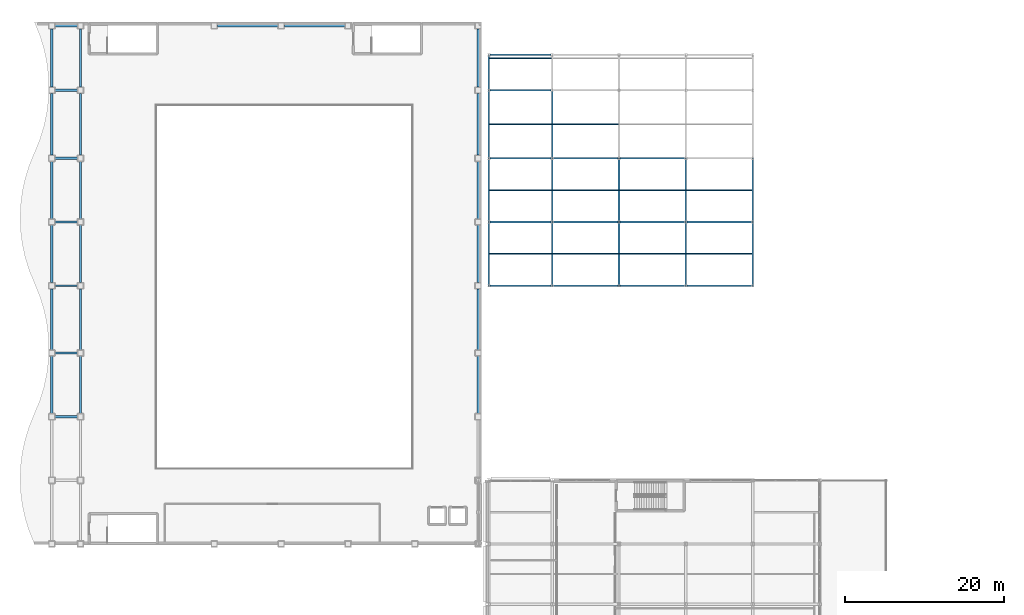
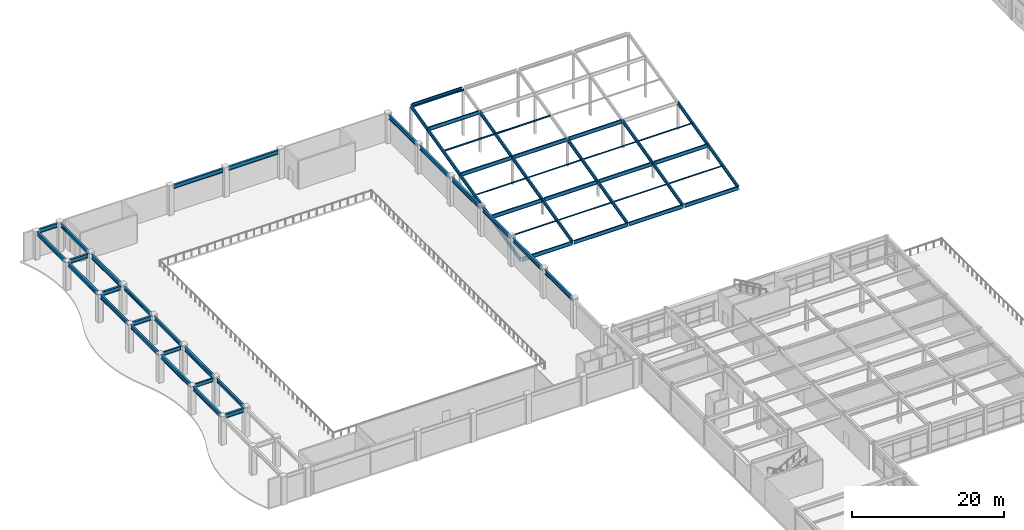
# One storey, part 43 of 93: 64 beams.
"""IFC4 building model written with IfcOpenShell, lengths in metres."""

import ifcopenshell
import ifcopenshell.guid

model = None  # the IFC model being written
_history = None  # IfcOwnerHistory: only IFC2X3 demands one
_inside = {}  # id of a spatial element -> (the spatial element, [elements in it])
_under = {}  # id of a project, library or spatial element -> (it, [spatial elements below it])
_declared = {}  # id of a project -> (the project, [libraries it declares])
_typed = {}  # id of a type object -> (the type object, [elements of that type])
_made_of = {}  # id of a material, layer set ... -> (it, [elements and type objects made of it])


def new_model(schema):
    """Start an empty IFC model of exactly this schema.

    Asked for "IFC4X3", IfcOpenShell would pick the latest addendum, in which some entities
    have other attributes; the version numbers below select the first issue.
    IFC2X3 requires an IfcOwnerHistory on every rooted entity: one is made here for all.
    """
    global model, _history
    if schema == "IFC4X3":
        model = ifcopenshell.file(schema_version=(4, 3, 0, 0))
    else:
        model = ifcopenshell.file(schema=schema)
    _inside.clear()
    _under.clear()
    _declared.clear()
    _typed.clear()
    _made_of.clear()
    _history = None
    if model.schema == "IFC2X3":
        org = make("IfcOrganization", Name="unknown")
        user = make(
            "IfcPersonAndOrganization",
            ThePerson=make("IfcPerson", FamilyName="unknown"),
            TheOrganization=org,
        )
        app = make(
            "IfcApplication",
            ApplicationDeveloper=org,
            Version="unknown",
            ApplicationFullName="unknown",
            ApplicationIdentifier="unknown",
        )
        _history = make(
            "IfcOwnerHistory",
            OwningUser=user,
            OwningApplication=app,
            ChangeAction="ADDED",
            CreationDate=0,
        )
    return model


def make(cls, **values):
    """One entity of the class cls with the attributes given. An attribute that is None is left unset."""
    return model.create_entity(
        cls, **{name: value for name, value in values.items() if value is not None}
    )


def rooted(cls, **values):
    """An entity with a GlobalId (a new one), such as an element, a storey or a relation."""
    return make(cls, GlobalId=ifcopenshell.guid.new(), OwnerHistory=_history, **values)


def si_unit(unit_type, name, prefix=None):
    """IfcSIUnit, for example si_unit("LENGTHUNIT", "METRE", prefix="MILLI")."""
    return make("IfcSIUnit", UnitType=unit_type, Prefix=prefix, Name=name)


def assignment(units):
    """IfcUnitAssignment: the units of a project."""
    return None if units is None else make("IfcUnitAssignment", Units=units)


def point(xyz):
    """IfcCartesianPoint."""
    return None if xyz is None else make("IfcCartesianPoint", Coordinates=xyz)


def direction(xyz):
    """IfcDirection."""
    return None if xyz is None else make("IfcDirection", DirectionRatios=xyz)


def frame(location, z_axis=None, x_axis=None):
    """IfcAxis2Placement3D, a coordinate frame: its origin and axes. An axis left out is left unset."""
    return make(
        "IfcAxis2Placement3D",
        Location=point(location),
        Axis=direction(z_axis),
        RefDirection=direction(x_axis),
    )


def frame_2d(location, x_axis=None):
    """IfcAxis2Placement2D, a coordinate frame in the plane: its origin and x axis."""
    return make(
        "IfcAxis2Placement2D", Location=point(location), RefDirection=direction(x_axis)
    )


def origin():
    """The frame at (0, 0, 0) with its axes left unset."""
    return frame((0.0, 0.0, 0.0))


def origin_2d():
    """The frame at (0, 0) in the plane with its x axis left unset."""
    return frame_2d((0.0, 0.0))


def place(relative_to, where):
    """IfcLocalPlacement: puts the frame where relative to a parent placement (None: the world)."""
    return make(
        "IfcLocalPlacement", PlacementRelTo=relative_to, RelativePlacement=where
    )


def context(
    kind, dimensions, precision=None, world=None, true_north=None, identifier=None
):
    """IfcGeometricRepresentationContext, for example the 3D "Model" context."""
    return make(
        "IfcGeometricRepresentationContext",
        ContextIdentifier=identifier,
        ContextType=kind,
        CoordinateSpaceDimension=dimensions,
        Precision=precision,
        WorldCoordinateSystem=world,
        TrueNorth=true_north,
    )


def subcontext(parent, identifier, kind, view, scale=None):
    """IfcGeometricRepresentationSubContext, for example "Body" below "Model"."""
    return make(
        "IfcGeometricRepresentationSubContext",
        ContextIdentifier=identifier,
        ContextType=kind,
        ParentContext=parent,
        TargetScale=scale,
        TargetView=view,
    )


def project(units=None, contexts=None):
    """IfcProject with its units and contexts."""
    return rooted(
        "IfcProject",
        Name="project",
        RepresentationContexts=contexts,
        UnitsInContext=assignment(units),
    )


def spatial(cls, under=None, at=None, **own):
    """A site, building, storey or space (cls), placed at a placement, below another one or the project."""
    s = rooted(cls, ObjectPlacement=at, **own)
    if under is not None:
        _under.setdefault(under.id(), (under, []))[1].append(s)
    return s


def profile(cls, at=None, kind="AREA", **sizes):
    """A parametric profile (cls). Its sizes go by their IFC names, for example OverallWidth=200.0."""
    return make(cls, ProfileType=kind, Position=at, **sizes)


def i_section(**sizes):
    """IfcIShapeProfileDef."""
    return profile("IfcIShapeProfileDef", **sizes)


def extrude(swept, where, along, depth):
    """IfcExtrudedAreaSolid: the profile swept, set in the frame where, extruded along a direction by depth."""
    return make(
        "IfcExtrudedAreaSolid",
        SweptArea=swept,
        Position=where,
        ExtrudedDirection=direction(along),
        Depth=depth,
    )


def shape(context_of_items, identifier, shape_type, items):
    """IfcShapeRepresentation: the items that make up one representation, for example the "Body"."""
    return make(
        "IfcShapeRepresentation",
        ContextOfItems=context_of_items,
        RepresentationIdentifier=identifier,
        RepresentationType=shape_type,
        Items=items,
    )


def material(Name=None, Category=None):
    """IfcMaterial."""
    return make("IfcMaterial", Name=Name, Category=Category)


def material_profile(
    of_material, cross_section, Name=None, Category=None, Priority=None
):
    """IfcMaterialProfile: a cross section and its material."""
    return make(
        "IfcMaterialProfile",
        Name=Name,
        Material=of_material,
        Profile=cross_section,
        Priority=Priority,
        Category=Category,
    )


def profile_set(profiles, Name=None, composite=None):
    """IfcMaterialProfileSet."""
    return make(
        "IfcMaterialProfileSet",
        Name=Name,
        MaterialProfiles=profiles,
        CompositeProfile=composite,
    )


def made_of(thing, what):
    """Note that an element or type object is made of a material, layer set ...; save() writes the relation."""
    if what is not None:
        _made_of.setdefault(what.id(), (what, []))[1].append(thing)
    return thing


def type_object(cls, material=None, **own):
    """A type object (cls), such as IfcWallType, which elements share."""
    return made_of(rooted(cls, **own), material)


def element(
    cls,
    number,
    at=None,
    inside=None,
    cuts=None,
    type_object=None,
    material=None,
    context=None,
    identifier="Body",
    shape_type=None,
    held_by="IfcProductDefinitionShape",
    body=None,
    shapes=None,
    **own,
):
    """One element of the class cls, such as IfcWall. Its Tag is "e" and its number.

    at: its placement. inside: the storey or other place that contains it. cuts: it is an
    opening in that element (IfcRelVoidsElement). A single representation is given by context,
    identifier, shape_type and body (its items); several are given by shapes. held_by: the class
    of the entity that holds the representations. save() writes the other relations.
    """
    e = rooted(cls, Tag="e%d" % number, ObjectPlacement=at, **own)
    if body is not None:
        shapes = [shape(context, identifier, shape_type, body)]
    if shapes is not None:
        e.Representation = make(held_by, Representations=shapes)
    if inside is not None:
        _inside.setdefault(inside.id(), (inside, []))[1].append(e)
    if cuts is not None:
        rooted(
            "IfcRelVoidsElement", RelatingBuildingElement=cuts, RelatedOpeningElement=e
        )
    if type_object is not None:
        _typed.setdefault(type_object.id(), (type_object, []))[1].append(e)
    return made_of(e, material)


def aggregate(whole, parts):
    """IfcRelAggregates: a whole, such as a stair, and the parts it consists of."""
    return rooted("IfcRelAggregates", RelatingObject=whole, RelatedObjects=parts)


def save(model, path):
    """Write the relations noted so far, then the file.

    IfcRelAggregates (storeys below a building ...), IfcRelContainedInSpatialStructure (elements
    in a storey), IfcRelDefinesByType, IfcRelAssociatesMaterial and IfcRelDeclares: one each for
    every whole, place, type object, material and project.
    """
    for whole, parts in _under.values():
        aggregate(whole, parts)
    for where, things in _inside.values():
        rooted(
            "IfcRelContainedInSpatialStructure",
            RelatedElements=things,
            RelatingStructure=where,
        )
    for kind, things in _typed.values():
        rooted("IfcRelDefinesByType", RelatedObjects=things, RelatingType=kind)
    for what, things in _made_of.values():
        rooted("IfcRelAssociatesMaterial", RelatedObjects=things, RelatingMaterial=what)
    for by, libraries in _declared.values():
        rooted("IfcRelDeclares", RelatingContext=by, RelatedDefinitions=libraries)
    model.write(path)


model = new_model("IFC4")

# Units and contexts
model_context = context("Model", 3, precision=1e-05, world=origin(), true_north=direction((0.0, 1.0)))
body_context = subcontext(model_context, "Body", "Model", "MODEL_VIEW")
ifc_project = project(units=[si_unit("LENGTHUNIT", "METRE"), si_unit("AREAUNIT", "SQUARE_METRE"), si_unit("VOLUMEUNIT", "CUBIC_METRE"), si_unit("PLANEANGLEUNIT", "RADIAN"), si_unit("MASSUNIT", "GRAM", prefix="KILO")], contexts=[model_context])

# Site, building, storey
site_placement = place(None, origin())
site = spatial("IfcSite", under=ifc_project, at=site_placement, CompositionType="ELEMENT")
building_placement = place(site_placement, origin())
building = spatial("IfcBuilding", under=site, at=building_placement, Name="Kazehara Bluff Congress Hotel", CompositionType="ELEMENT")
storey_placement = place(building_placement, frame((0.0, 0.0, 15.0)))
storey = spatial("IfcBuildingStorey", under=building, at=storey_placement, Name="L03", CompositionType="ELEMENT", Elevation=15.0)

# Beams
ifc_material_1 = material(Name="Steel SN490B", Category="steel")
ifc_material_profile_1 = material_profile(ifc_material_1, i_section(OverallWidth=0.199951171875, OverallDepth=0.60009765625, WebThickness=0.010986328125, FlangeThickness=0.01708984375, FilletRadius=0.012939453125, at=origin_2d()))
ifc_profile_set_1 = profile_set([ifc_material_profile_1], Name="Steel SN490B")
beam_type_1 = type_object("IfcBeamType", Name="TP-G-02", PredefinedType="BEAM", material=ifc_profile_set_1)
beam_1_placement = place(storey_placement, frame((59.699951171875, 80.89990234375, 0.294921875), z_axis=(0.0, 0.970281684252, 0.241978208121), x_axis=(-1.0, 0.0, 0.0)))
element("IfcBeam", 1, at=beam_1_placement, inside=storey, type_object=beam_type_1, Name="Spa sloped roof rafter X=59.70 bay 1", PredefinedType="BEAM", context=body_context, shape_type="SweptSolid", body=[
    extrude(i_section(OverallWidth=0.199951171875, OverallDepth=0.60009765625, WebThickness=0.010986328125, FlangeThickness=0.01708984375, FilletRadius=0.012939453125, at=origin_2d()), origin(), (0.0, 0.0, 1.0), 8.2451171875),
])
beam_2_placement = place(storey_placement, frame((59.699951171875, 88.89990234375, 2.2900390625), z_axis=(0.0, 0.970288636097, 0.24195033098), x_axis=(-1.0, 0.0, 0.0)))
element("IfcBeam", 2, at=beam_2_placement, inside=storey, type_object=beam_type_1, Name="Spa sloped roof rafter X=59.70 bay 2", PredefinedType="BEAM", context=body_context, shape_type="SweptSolid", body=[
    extrude(i_section(OverallWidth=0.199951171875, OverallDepth=0.60009765625, WebThickness=0.010986328125, FlangeThickness=0.01708984375, FilletRadius=0.012939453125, at=origin_2d()), origin(), (0.0, 0.0, 1.0), 8.244873046875),
])
beam_3_placement = place(storey_placement, frame((59.699951171875, 96.89990234375, 4.284912109375), z_axis=(0.0, 0.970209278001, 0.24226835716), x_axis=(-1.0, 0.0, 0.0)))
element("IfcBeam", 3, at=beam_3_placement, inside=storey, type_object=beam_type_1, Name="Spa sloped roof rafter X=59.70 bay 3", PredefinedType="BEAM", context=body_context, shape_type="SweptSolid", body=[
    extrude(i_section(OverallWidth=0.199951171875, OverallDepth=0.60009765625, WebThickness=0.010986328125, FlangeThickness=0.01708984375, FilletRadius=0.012939453125, at=origin_2d()), origin(), (0.0, 0.0, 1.0), 8.8125),
])
beam_4_placement = place(storey_placement, frame((59.699951171875, 105.449951171875, 6.419921875), z_axis=(0.0, 0.97052653134, 0.240994298614), x_axis=(-1.0, 0.0, 0.0)))
element("IfcBeam", 4, at=beam_4_placement, inside=storey, type_object=beam_type_1, Name="Spa sloped roof rafter X=59.70 bay 4", PredefinedType="BEAM", context=body_context, shape_type="SweptSolid", body=[
    extrude(i_section(OverallWidth=0.199951171875, OverallDepth=0.60009765625, WebThickness=0.010986328125, FlangeThickness=0.01708984375, FilletRadius=0.012939453125, at=origin_2d()), origin(), (0.0, 0.0, 1.0), 4.585205078125),
])
beam_5_placement = place(storey_placement, frame((67.64990234375, 80.89990234375, 0.294921875), z_axis=(0.0, 0.970281684252, 0.241978208121), x_axis=(-1.0, 0.0, 0.0)))
element("IfcBeam", 5, at=beam_5_placement, inside=storey, type_object=beam_type_1, Name="Spa sloped roof rafter X=67.65 bay 1", PredefinedType="BEAM", context=body_context, shape_type="SweptSolid", body=[
    extrude(i_section(OverallWidth=0.199951171875, OverallDepth=0.60009765625, WebThickness=0.010986328125, FlangeThickness=0.01708984375, FilletRadius=0.012939453125, at=origin_2d()), origin(), (0.0, 0.0, 1.0), 8.2451171875),
])
beam_6_placement = place(storey_placement, frame((67.64990234375, 88.89990234375, 2.2900390625), z_axis=(0.0, 0.970288636097, 0.24195033098), x_axis=(-1.0, 0.0, 0.0)))
element("IfcBeam", 6, at=beam_6_placement, inside=storey, type_object=beam_type_1, Name="Spa sloped roof rafter X=67.65 bay 2", PredefinedType="BEAM", context=body_context, shape_type="SweptSolid", body=[
    extrude(i_section(OverallWidth=0.199951171875, OverallDepth=0.60009765625, WebThickness=0.010986328125, FlangeThickness=0.01708984375, FilletRadius=0.012939453125, at=origin_2d()), origin(), (0.0, 0.0, 1.0), 8.244873046875),
])
beam_7_placement = place(storey_placement, frame((67.64990234375, 96.89990234375, 4.284912109375), z_axis=(0.0, 0.970209278001, 0.24226835716), x_axis=(-1.0, 0.0, 0.0)))
element("IfcBeam", 7, at=beam_7_placement, inside=storey, type_object=beam_type_1, Name="Spa sloped roof rafter X=67.65 bay 3", PredefinedType="BEAM", context=body_context, shape_type="SweptSolid", body=[
    extrude(i_section(OverallWidth=0.199951171875, OverallDepth=0.60009765625, WebThickness=0.010986328125, FlangeThickness=0.01708984375, FilletRadius=0.012939453125, at=origin_2d()), origin(), (0.0, 0.0, 1.0), 8.8125),
])
beam_8_placement = place(storey_placement, frame((76.050048828125, 80.89990234375, 0.294921875), z_axis=(0.0, 0.970281684252, 0.241978208121), x_axis=(-1.0, 0.0, 0.0)))
element("IfcBeam", 8, at=beam_8_placement, inside=storey, type_object=beam_type_1, Name="Spa sloped roof rafter X=76.05 bay 1", PredefinedType="BEAM", context=body_context, shape_type="SweptSolid", body=[
    extrude(i_section(OverallWidth=0.199951171875, OverallDepth=0.60009765625, WebThickness=0.010986328125, FlangeThickness=0.01708984375, FilletRadius=0.012939453125, at=origin_2d()), origin(), (0.0, 0.0, 1.0), 8.2451171875),
])
beam_9_placement = place(storey_placement, frame((76.050048828125, 88.89990234375, 2.2900390625), z_axis=(0.0, 0.970288636097, 0.24195033098), x_axis=(-1.0, 0.0, 0.0)))
element("IfcBeam", 9, at=beam_9_placement, inside=storey, type_object=beam_type_1, Name="Spa sloped roof rafter X=76.05 bay 2", PredefinedType="BEAM", context=body_context, shape_type="SweptSolid", body=[
    extrude(i_section(OverallWidth=0.199951171875, OverallDepth=0.60009765625, WebThickness=0.010986328125, FlangeThickness=0.01708984375, FilletRadius=0.012939453125, at=origin_2d()), origin(), (0.0, 0.0, 1.0), 8.244873046875),
])
beam_10_placement = place(storey_placement, frame((84.449951171875, 80.89990234375, 0.294921875), z_axis=(0.0, 0.970281684252, 0.241978208121), x_axis=(-1.0, 0.0, 0.0)))
element("IfcBeam", 10, at=beam_10_placement, inside=storey, type_object=beam_type_1, Name="Spa sloped roof rafter X=84.45 bay 1", PredefinedType="BEAM", context=body_context, shape_type="SweptSolid", body=[
    extrude(i_section(OverallWidth=0.199951171875, OverallDepth=0.60009765625, WebThickness=0.010986328125, FlangeThickness=0.01708984375, FilletRadius=0.012939453125, at=origin_2d()), origin(), (0.0, 0.0, 1.0), 8.2451171875),
])
beam_11_placement = place(storey_placement, frame((84.449951171875, 88.89990234375, 2.2900390625), z_axis=(0.0, 0.970288636097, 0.24195033098), x_axis=(-1.0, 0.0, 0.0)))
element("IfcBeam", 11, at=beam_11_placement, inside=storey, type_object=beam_type_1, Name="Spa sloped roof rafter X=84.45 bay 2", PredefinedType="BEAM", context=body_context, shape_type="SweptSolid", body=[
    extrude(i_section(OverallWidth=0.199951171875, OverallDepth=0.60009765625, WebThickness=0.010986328125, FlangeThickness=0.01708984375, FilletRadius=0.012939453125, at=origin_2d()), origin(), (0.0, 0.0, 1.0), 8.244873046875),
])
beam_12_placement = place(storey_placement, frame((92.85009765625, 80.89990234375, 0.294921875), z_axis=(0.0, 0.970281684252, 0.241978208121), x_axis=(-1.0, 0.0, 0.0)))
element("IfcBeam", 12, at=beam_12_placement, inside=storey, type_object=beam_type_1, Name="Spa sloped roof rafter X=92.85 bay 1", PredefinedType="BEAM", context=body_context, shape_type="SweptSolid", body=[
    extrude(i_section(OverallWidth=0.199951171875, OverallDepth=0.60009765625, WebThickness=0.010986328125, FlangeThickness=0.01708984375, FilletRadius=0.012939453125, at=origin_2d()), origin(), (0.0, 0.0, 1.0), 8.2451171875),
])
beam_13_placement = place(storey_placement, frame((92.85009765625, 88.89990234375, 2.2900390625), z_axis=(0.0, 0.970288636097, 0.24195033098), x_axis=(-1.0, 0.0, 0.0)))
element("IfcBeam", 13, at=beam_13_placement, inside=storey, type_object=beam_type_1, Name="Spa sloped roof rafter X=92.85 bay 2", PredefinedType="BEAM", context=body_context, shape_type="SweptSolid", body=[
    extrude(i_section(OverallWidth=0.199951171875, OverallDepth=0.60009765625, WebThickness=0.010986328125, FlangeThickness=0.01708984375, FilletRadius=0.012939453125, at=origin_2d()), origin(), (0.0, 0.0, 1.0), 8.244873046875),
])
beam_14_placement = place(storey_placement, frame((59.85009765625, 80.89990234375, 0.294921875), z_axis=(1.0, 0.0, 0.0), x_axis=(0.0, 1.0, 0.0)))
element("IfcBeam", 14, at=beam_14_placement, inside=storey, type_object=beam_type_1, Name="Spa roof tie beam Y=80.90 60", PredefinedType="BEAM", context=body_context, shape_type="SweptSolid", body=[
    extrude(i_section(OverallWidth=0.199951171875, OverallDepth=0.60009765625, WebThickness=0.010986328125, FlangeThickness=0.01708984375, FilletRadius=0.012939453125, at=origin_2d()), origin(), (0.0, 0.0, 1.0), 7.64990234375),
])
beam_15_placement = place(storey_placement, frame((67.800048828125, 80.89990234375, 0.294921875), z_axis=(1.0, 0.0, 0.0), x_axis=(0.0, 1.0, 0.0)))
element("IfcBeam", 15, at=beam_15_placement, inside=storey, type_object=beam_type_1, Name="Spa roof tie beam Y=80.90 68", PredefinedType="BEAM", context=body_context, shape_type="SweptSolid", body=[
    extrude(i_section(OverallWidth=0.199951171875, OverallDepth=0.60009765625, WebThickness=0.010986328125, FlangeThickness=0.01708984375, FilletRadius=0.012939453125, at=origin_2d()), origin(), (0.0, 0.0, 1.0), 8.099853515625),
])
beam_16_placement = place(storey_placement, frame((76.199951171875, 80.89990234375, 0.294921875), z_axis=(1.0, 0.0, 0.0), x_axis=(0.0, 1.0, 0.0)))
element("IfcBeam", 16, at=beam_16_placement, inside=storey, type_object=beam_type_1, Name="Spa roof tie beam Y=80.90 76", PredefinedType="BEAM", context=body_context, shape_type="SweptSolid", body=[
    extrude(i_section(OverallWidth=0.199951171875, OverallDepth=0.60009765625, WebThickness=0.010986328125, FlangeThickness=0.01708984375, FilletRadius=0.012939453125, at=origin_2d()), origin(), (0.0, 0.0, 1.0), 8.10009765625),
])
beam_17_placement = place(storey_placement, frame((84.60009765625, 80.89990234375, 0.294921875), z_axis=(1.0, 0.0, 0.0), x_axis=(0.0, 1.0, 0.0)))
element("IfcBeam", 17, at=beam_17_placement, inside=storey, type_object=beam_type_1, Name="Spa roof tie beam Y=80.90 84", PredefinedType="BEAM", context=body_context, shape_type="SweptSolid", body=[
    extrude(i_section(OverallWidth=0.199951171875, OverallDepth=0.60009765625, WebThickness=0.010986328125, FlangeThickness=0.01708984375, FilletRadius=0.012939453125, at=origin_2d()), origin(), (0.0, 0.0, 1.0), 8.099853515625),
])
beam_18_placement = place(storey_placement, frame((59.85009765625, 88.89990234375, 2.2900390625), z_axis=(1.0, 0.0, 0.0), x_axis=(0.0, 1.0, 0.0)))
element("IfcBeam", 18, at=beam_18_placement, inside=storey, type_object=beam_type_1, Name="Spa roof tie beam Y=88.90 60", PredefinedType="BEAM", context=body_context, shape_type="SweptSolid", body=[
    extrude(i_section(OverallWidth=0.199951171875, OverallDepth=0.60009765625, WebThickness=0.010986328125, FlangeThickness=0.01708984375, FilletRadius=0.012939453125, at=origin_2d()), origin(), (0.0, 0.0, 1.0), 7.64990234375),
])
beam_19_placement = place(storey_placement, frame((67.800048828125, 88.89990234375, 2.2900390625), z_axis=(1.0, 0.0, 0.0), x_axis=(0.0, 1.0, 0.0)))
element("IfcBeam", 19, at=beam_19_placement, inside=storey, type_object=beam_type_1, Name="Spa roof tie beam Y=88.90 68", PredefinedType="BEAM", context=body_context, shape_type="SweptSolid", body=[
    extrude(i_section(OverallWidth=0.199951171875, OverallDepth=0.60009765625, WebThickness=0.010986328125, FlangeThickness=0.01708984375, FilletRadius=0.012939453125, at=origin_2d()), origin(), (0.0, 0.0, 1.0), 8.099853515625),
])
beam_20_placement = place(storey_placement, frame((76.199951171875, 88.89990234375, 2.2900390625), z_axis=(1.0, 0.0, 0.0), x_axis=(0.0, 1.0, 0.0)))
element("IfcBeam", 20, at=beam_20_placement, inside=storey, type_object=beam_type_1, Name="Spa roof tie beam Y=88.90 76", PredefinedType="BEAM", context=body_context, shape_type="SweptSolid", body=[
    extrude(i_section(OverallWidth=0.199951171875, OverallDepth=0.60009765625, WebThickness=0.010986328125, FlangeThickness=0.01708984375, FilletRadius=0.012939453125, at=origin_2d()), origin(), (0.0, 0.0, 1.0), 8.10009765625),
])
beam_21_placement = place(storey_placement, frame((84.60009765625, 88.89990234375, 2.2900390625), z_axis=(1.0, 0.0, 0.0), x_axis=(0.0, 1.0, 0.0)))
element("IfcBeam", 21, at=beam_21_placement, inside=storey, type_object=beam_type_1, Name="Spa roof tie beam Y=88.90 84", PredefinedType="BEAM", context=body_context, shape_type="SweptSolid", body=[
    extrude(i_section(OverallWidth=0.199951171875, OverallDepth=0.60009765625, WebThickness=0.010986328125, FlangeThickness=0.01708984375, FilletRadius=0.012939453125, at=origin_2d()), origin(), (0.0, 0.0, 1.0), 8.099853515625),
])
beam_22_placement = place(storey_placement, frame((59.85009765625, 96.89990234375, 4.284912109375), z_axis=(1.0, 0.0, 0.0), x_axis=(0.0, 1.0, 0.0)))
element("IfcBeam", 22, at=beam_22_placement, inside=storey, type_object=beam_type_1, Name="Spa roof tie beam Y=96.90 60", PredefinedType="BEAM", context=body_context, shape_type="SweptSolid", body=[
    extrude(i_section(OverallWidth=0.199951171875, OverallDepth=0.60009765625, WebThickness=0.010986328125, FlangeThickness=0.01708984375, FilletRadius=0.012939453125, at=origin_2d()), origin(), (0.0, 0.0, 1.0), 7.64990234375),
])
beam_23_placement = place(storey_placement, frame((67.800048828125, 96.89990234375, 4.284912109375), z_axis=(1.0, 0.0, 0.0), x_axis=(0.0, 1.0, 0.0)))
element("IfcBeam", 23, at=beam_23_placement, inside=storey, type_object=beam_type_1, Name="Spa roof tie beam Y=96.90 68", PredefinedType="BEAM", context=body_context, shape_type="SweptSolid", body=[
    extrude(i_section(OverallWidth=0.199951171875, OverallDepth=0.60009765625, WebThickness=0.010986328125, FlangeThickness=0.01708984375, FilletRadius=0.012939453125, at=origin_2d()), origin(), (0.0, 0.0, 1.0), 8.099853515625),
])
beam_24_placement = place(storey_placement, frame((76.199951171875, 96.89990234375, 4.284912109375), z_axis=(1.0, 0.0, 0.0), x_axis=(0.0, 1.0, 0.0)))
element("IfcBeam", 24, at=beam_24_placement, inside=storey, type_object=beam_type_1, Name="Spa roof tie beam Y=96.90 76", PredefinedType="BEAM", context=body_context, shape_type="SweptSolid", body=[
    extrude(i_section(OverallWidth=0.199951171875, OverallDepth=0.60009765625, WebThickness=0.010986328125, FlangeThickness=0.01708984375, FilletRadius=0.012939453125, at=origin_2d()), origin(), (0.0, 0.0, 1.0), 8.10009765625),
])
for number, where, z_axis, x_axis, name in (
    (25, (59.85009765625, 105.449951171875, 6.419921875), (1.0, 0.0, 0.0), (0.0, 1.0, 0.0), "Spa roof tie beam Y=105.45 60"),
    (26, (59.85009765625, 109.89990234375, 7.52490234375), (1.0, 0.0, 0.0), (0.0, 1.0, 0.0), "Spa roof tie beam Y=109.90 60"),
):
    element("IfcBeam", number, at=place(storey_placement, frame(where, z_axis=z_axis, x_axis=x_axis)), inside=storey, type_object=beam_type_1, Name=name, PredefinedType="BEAM", context=body_context, shape_type="SweptSolid", body=[
        extrude(i_section(OverallWidth=0.199951171875, OverallDepth=0.60009765625, WebThickness=0.010986328125, FlangeThickness=0.01708984375, FilletRadius=0.012939453125, at=origin_2d()), origin(), (0.0, 0.0, 1.0), 7.64990234375),
    ])
ifc_material_2 = material(Name="Steel SN490B", Category="steel")
ifc_material_profile_2 = material_profile(ifc_material_2, i_section(OverallWidth=0.300048828125, OverallDepth=0.64990234375, WebThickness=0.011962890625, FlangeThickness=0.02001953125, FilletRadius=0.012939453125, at=origin_2d()))
ifc_profile_set_2 = profile_set([ifc_material_profile_2], Name="Steel SN490B")
beam_type_2 = type_object("IfcBeamType", Name="TP-G-03", PredefinedType="BEAM", material=ifc_profile_set_2)
beam_25_placement = place(storey_placement, frame((4.800048828125, 64.85009765625, 4.235107421875), z_axis=(0.0, 1.0, 0.0), x_axis=(-1.0, 0.0, 0.0)))
element("IfcBeam", 27, at=beam_25_placement, inside=storey, type_object=beam_type_2, Name="L03 girder G-03 3", PredefinedType="BEAM", context=body_context, shape_type="SweptSolid", body=[
    extrude(i_section(OverallWidth=0.300048828125, OverallDepth=0.64990234375, WebThickness=0.011962890625, FlangeThickness=0.02001953125, FilletRadius=0.012939453125, at=origin_2d()), origin(), (0.0, 0.0, 1.0), 7.199951171875),
])
beam_26_placement = place(storey_placement, frame((4.800048828125, 72.85009765625, 4.235107421875), z_axis=(0.0, 1.0, 0.0), x_axis=(-1.0, 0.0, 0.0)))
element("IfcBeam", 28, at=beam_26_placement, inside=storey, type_object=beam_type_2, Name="L03 girder G-03 4", PredefinedType="BEAM", context=body_context, shape_type="SweptSolid", body=[
    extrude(i_section(OverallWidth=0.300048828125, OverallDepth=0.64990234375, WebThickness=0.011962890625, FlangeThickness=0.02001953125, FilletRadius=0.012939453125, at=origin_2d()), origin(), (0.0, 0.0, 1.0), 7.64990234375),
])
for number, where, z_axis, x_axis, name in (
    (29, (4.800048828125, 81.300048828125, 4.235107421875), (0.0, 1.0, 0.0), (-1.0, 0.0, 0.0), "L03 girder G-03 5"),
    (30, (4.800048828125, 89.300048828125, 4.235107421875), (0.0, 1.0, 0.0), (-1.0, 0.0, 0.0), "L03 girder G-03 6"),
):
    element("IfcBeam", number, at=place(storey_placement, frame(where, z_axis=z_axis, x_axis=x_axis)), inside=storey, type_object=beam_type_2, Name=name, PredefinedType="BEAM", context=body_context, shape_type="SweptSolid", body=[
        extrude(i_section(OverallWidth=0.300048828125, OverallDepth=0.64990234375, WebThickness=0.011962890625, FlangeThickness=0.02001953125, FilletRadius=0.012939453125, at=origin_2d()), origin(), (0.0, 0.0, 1.0), 7.199951171875),
    ])
beam_27_placement = place(storey_placement, frame((4.800048828125, 97.300048828125, 4.235107421875), z_axis=(0.0, 1.0, 0.0), x_axis=(-1.0, 0.0, 0.0)))
element("IfcBeam", 31, at=beam_27_placement, inside=storey, type_object=beam_type_2, Name="L03 girder G-03 7", PredefinedType="BEAM", context=body_context, shape_type="SweptSolid", body=[
    extrude(i_section(OverallWidth=0.300048828125, OverallDepth=0.64990234375, WebThickness=0.011962890625, FlangeThickness=0.02001953125, FilletRadius=0.012939453125, at=origin_2d()), origin(), (0.0, 0.0, 1.0), 7.75),
])
beam_28_placement = place(storey_placement, frame((4.800048828125, 105.85009765625, 4.235107421875), z_axis=(0.0, 1.0, 0.0), x_axis=(-1.0, 0.0, 0.0)))
element("IfcBeam", 32, at=beam_28_placement, inside=storey, type_object=beam_type_2, Name="L03 girder G-03 8", PredefinedType="BEAM", context=body_context, shape_type="SweptSolid", body=[
    extrude(i_section(OverallWidth=0.300048828125, OverallDepth=0.64990234375, WebThickness=0.011962890625, FlangeThickness=0.02001953125, FilletRadius=0.012939453125, at=origin_2d()), origin(), (0.0, 0.0, 1.0), 7.2998046875),
])
beam_29_placement = place(storey_placement, frame((58.35009765625, 64.85009765625, 4.235107421875), z_axis=(0.0, 1.0, 0.0), x_axis=(-1.0, 0.0, 0.0)))
element("IfcBeam", 33, at=beam_29_placement, inside=storey, type_object=beam_type_2, Name="L03 girder G-03 19", PredefinedType="BEAM", context=body_context, shape_type="SweptSolid", body=[
    extrude(i_section(OverallWidth=0.300048828125, OverallDepth=0.64990234375, WebThickness=0.011962890625, FlangeThickness=0.02001953125, FilletRadius=0.012939453125, at=origin_2d()), origin(), (0.0, 0.0, 1.0), 7.199951171875),
])
beam_30_placement = place(storey_placement, frame((58.35009765625, 72.85009765625, 4.235107421875), z_axis=(0.0, 1.0, 0.0), x_axis=(-1.0, 0.0, 0.0)))
element("IfcBeam", 34, at=beam_30_placement, inside=storey, type_object=beam_type_2, Name="L03 girder G-03 20", PredefinedType="BEAM", context=body_context, shape_type="SweptSolid", body=[
    extrude(i_section(OverallWidth=0.300048828125, OverallDepth=0.64990234375, WebThickness=0.011962890625, FlangeThickness=0.02001953125, FilletRadius=0.012939453125, at=origin_2d()), origin(), (0.0, 0.0, 1.0), 7.64990234375),
])
for number, where, z_axis, x_axis, name in (
    (35, (58.35009765625, 81.300048828125, 4.235107421875), (0.0, 1.0, 0.0), (-1.0, 0.0, 0.0), "L03 girder G-03 21"),
    (36, (58.35009765625, 89.300048828125, 4.235107421875), (0.0, 1.0, 0.0), (-1.0, 0.0, 0.0), "L03 girder G-03 22"),
):
    element("IfcBeam", number, at=place(storey_placement, frame(where, z_axis=z_axis, x_axis=x_axis)), inside=storey, type_object=beam_type_2, Name=name, PredefinedType="BEAM", context=body_context, shape_type="SweptSolid", body=[
        extrude(i_section(OverallWidth=0.300048828125, OverallDepth=0.64990234375, WebThickness=0.011962890625, FlangeThickness=0.02001953125, FilletRadius=0.012939453125, at=origin_2d()), origin(), (0.0, 0.0, 1.0), 7.199951171875),
    ])
beam_31_placement = place(storey_placement, frame((58.35009765625, 97.300048828125, 4.235107421875), z_axis=(0.0, 1.0, 0.0), x_axis=(-1.0, 0.0, 0.0)))
element("IfcBeam", 37, at=beam_31_placement, inside=storey, type_object=beam_type_2, Name="L03 girder G-03 23", PredefinedType="BEAM", context=body_context, shape_type="SweptSolid", body=[
    extrude(i_section(OverallWidth=0.300048828125, OverallDepth=0.64990234375, WebThickness=0.011962890625, FlangeThickness=0.02001953125, FilletRadius=0.012939453125, at=origin_2d()), origin(), (0.0, 0.0, 1.0), 7.75),
])
beam_32_placement = place(storey_placement, frame((58.35009765625, 105.85009765625, 4.235107421875), z_axis=(0.0, 1.0, 0.0), x_axis=(-1.0, 0.0, 0.0)))
element("IfcBeam", 38, at=beam_32_placement, inside=storey, type_object=beam_type_2, Name="L03 girder G-03 24", PredefinedType="BEAM", context=body_context, shape_type="SweptSolid", body=[
    extrude(i_section(OverallWidth=0.300048828125, OverallDepth=0.64990234375, WebThickness=0.011962890625, FlangeThickness=0.02001953125, FilletRadius=0.012939453125, at=origin_2d()), origin(), (0.0, 0.0, 1.0), 7.2998046875),
])
for number, where, z_axis, x_axis, name in (
    (39, (5.199951171875, 64.449951171875, 4.235107421875), (1.0, 0.0, 0.0), (0.0, 1.0, 0.0), "L03 girder G-03 32"),
    (40, (5.199951171875, 88.89990234375, 4.235107421875), (1.0, 0.0, 0.0), (0.0, 1.0, 0.0), "L03 girder G-03 35"),
    (41, (5.199951171875, 96.89990234375, 4.235107421875), (1.0, 0.0, 0.0), (0.0, 1.0, 0.0), "L03 girder G-03 36"),
    (42, (5.199951171875, 105.449951171875, 4.235107421875), (1.0, 0.0, 0.0), (0.0, 1.0, 0.0), "L03 girder G-03 37"),
    (43, (5.199951171875, 113.550048828125, 4.235107421875), (1.0, 0.0, 0.0), (0.0, 1.0, 0.0), "L03 girder G-03 38"),
):
    element("IfcBeam", number, at=place(storey_placement, frame(where, z_axis=z_axis, x_axis=x_axis)), inside=storey, type_object=beam_type_2, Name=name, PredefinedType="BEAM", context=body_context, shape_type="SweptSolid", body=[
        extrude(i_section(OverallWidth=0.300048828125, OverallDepth=0.64990234375, WebThickness=0.011962890625, FlangeThickness=0.02001953125, FilletRadius=0.012939453125, at=origin_2d()), origin(), (0.0, 0.0, 1.0), 2.800048828125),
    ])
beam_33_placement = place(storey_placement, frame((25.60009765625, 113.550048828125, 4.235107421875), z_axis=(1.0, 0.0, 0.0), x_axis=(0.0, 1.0, 0.0)))
element("IfcBeam", 44, at=beam_33_placement, inside=storey, type_object=beam_type_2, Name="L03 girder G-03 39", PredefinedType="BEAM", context=body_context, shape_type="SweptSolid", body=[
    extrude(i_section(OverallWidth=0.300048828125, OverallDepth=0.64990234375, WebThickness=0.011962890625, FlangeThickness=0.02001953125, FilletRadius=0.012939453125, at=origin_2d()), origin(), (0.0, 0.0, 1.0), 7.599853515625),
])
beam_34_placement = place(storey_placement, frame((34.0, 113.550048828125, 4.235107421875), z_axis=(1.0, 0.0, 0.0), x_axis=(0.0, 1.0, 0.0)))
element("IfcBeam", 45, at=beam_34_placement, inside=storey, type_object=beam_type_2, Name="L03 girder G-03 40", PredefinedType="BEAM", context=body_context, shape_type="SweptSolid", body=[
    extrude(i_section(OverallWidth=0.300048828125, OverallDepth=0.64990234375, WebThickness=0.011962890625, FlangeThickness=0.02001953125, FilletRadius=0.012939453125, at=origin_2d()), origin(), (0.0, 0.0, 1.0), 7.60009765625),
])
ifc_material_3 = material(Name="Steel SN400B", Category="steel")
ifc_material_profile_3 = material_profile(ifc_material_3, i_section(OverallWidth=0.10009765625, OverallDepth=0.199951171875, WebThickness=0.005615234375, FlangeThickness=0.008056640625, FilletRadius=0.008056640625, at=origin_2d()))
ifc_profile_set_3 = profile_set([ifc_material_profile_3], Name="Steel SN400B")
beam_type_3 = type_object("IfcBeamType", Name="TP-PR-01", PredefinedType="USERDEFINED", material=ifc_profile_set_3)
for number, where, z_axis, x_axis, name in (
    (46, (59.800048828125, 84.89990234375, 1.4599609375), (1.0, 0.0, 0.0), (0.0, 1.0, 0.0), "Spa sloped roof purlin PR-01 1"),
    (47, (59.800048828125, 92.89990234375, 3.455078125), (1.0, 0.0, 0.0), (0.0, 1.0, 0.0), "Spa sloped roof purlin PR-01 2"),
):
    element("IfcBeam", number, at=place(storey_placement, frame(where, z_axis=z_axis, x_axis=x_axis)), inside=storey, type_object=beam_type_3, Name=name, ObjectType="PURLIN", PredefinedType="USERDEFINED", context=body_context, shape_type="SweptSolid", body=[
        extrude(i_section(OverallWidth=0.10009765625, OverallDepth=0.199951171875, WebThickness=0.005615234375, FlangeThickness=0.008056640625, FilletRadius=0.008056640625, at=origin_2d()), origin(), (0.0, 0.0, 1.0), 7.75),
    ])
for number, where, z_axis, x_axis, name in (
    (48, (67.75, 84.89990234375, 1.4599609375), (1.0, 0.0, 0.0), (0.0, 1.0, 0.0), "Spa sloped roof purlin PR-01 5"),
    (49, (67.75, 92.89990234375, 3.455078125), (1.0, 0.0, 0.0), (0.0, 1.0, 0.0), "Spa sloped roof purlin PR-01 6"),
):
    element("IfcBeam", number, at=place(storey_placement, frame(where, z_axis=z_axis, x_axis=x_axis)), inside=storey, type_object=beam_type_3, Name=name, ObjectType="PURLIN", PredefinedType="USERDEFINED", context=body_context, shape_type="SweptSolid", body=[
        extrude(i_section(OverallWidth=0.10009765625, OverallDepth=0.199951171875, WebThickness=0.005615234375, FlangeThickness=0.008056640625, FilletRadius=0.008056640625, at=origin_2d()), origin(), (0.0, 0.0, 1.0), 8.199951171875),
    ])
for number, where, z_axis, x_axis, name in (
    (50, (76.14990234375, 84.89990234375, 1.4599609375), (1.0, 0.0, 0.0), (0.0, 1.0, 0.0), "Spa sloped roof purlin PR-01 9"),
    (51, (76.14990234375, 92.89990234375, 3.455078125), (1.0, 0.0, 0.0), (0.0, 1.0, 0.0), "Spa sloped roof purlin PR-01 10"),
):
    element("IfcBeam", number, at=place(storey_placement, frame(where, z_axis=z_axis, x_axis=x_axis)), inside=storey, type_object=beam_type_3, Name=name, ObjectType="PURLIN", PredefinedType="USERDEFINED", context=body_context, shape_type="SweptSolid", body=[
        extrude(i_section(OverallWidth=0.10009765625, OverallDepth=0.199951171875, WebThickness=0.005615234375, FlangeThickness=0.008056640625, FilletRadius=0.008056640625, at=origin_2d()), origin(), (0.0, 0.0, 1.0), 8.2001953125),
    ])
for number, where, z_axis, x_axis, name in (
    (52, (84.550048828125, 84.89990234375, 1.4599609375), (1.0, 0.0, 0.0), (0.0, 1.0, 0.0), "Spa sloped roof purlin PR-01 13"),
    (53, (84.550048828125, 92.89990234375, 3.455078125), (1.0, 0.0, 0.0), (0.0, 1.0, 0.0), "Spa sloped roof purlin PR-01 14"),
):
    element("IfcBeam", number, at=place(storey_placement, frame(where, z_axis=z_axis, x_axis=x_axis)), inside=storey, type_object=beam_type_3, Name=name, ObjectType="PURLIN", PredefinedType="USERDEFINED", context=body_context, shape_type="SweptSolid", body=[
        extrude(i_section(OverallWidth=0.10009765625, OverallDepth=0.199951171875, WebThickness=0.005615234375, FlangeThickness=0.008056640625, FilletRadius=0.008056640625, at=origin_2d()), origin(), (0.0, 0.0, 1.0), 8.199951171875),
    ])
ifc_material_4 = material(Name="Steel SN400B", Category="steel")
ifc_material_profile_4 = material_profile(ifc_material_4, i_section(OverallWidth=0.125, OverallDepth=0.25, WebThickness=0.006103515625, FlangeThickness=0.009033203125, FilletRadius=0.008056640625, at=origin_2d()))
ifc_profile_set_4 = profile_set([ifc_material_profile_4], Name="Steel SN400B")
beam_type_4 = type_object("IfcBeamType", Name="TP-PR-02", PredefinedType="USERDEFINED", material=ifc_profile_set_4)
for number, where, z_axis, x_axis, name in (
    (54, (59.800048828125, 101.199951171875, 5.52490234375), (1.0, 0.0, 0.0), (0.0, 1.0, 0.0), "Spa sloped roof purlin PR-02 3"),
    (55, (59.800048828125, 109.5, 7.594970703125), (1.0, 0.0, 0.0), (0.0, 1.0, 0.0), "Spa sloped roof purlin PR-02 4"),
):
    element("IfcBeam", number, at=place(storey_placement, frame(where, z_axis=z_axis, x_axis=x_axis)), inside=storey, type_object=beam_type_4, Name=name, ObjectType="PURLIN", PredefinedType="USERDEFINED", context=body_context, shape_type="SweptSolid", body=[
        extrude(i_section(OverallWidth=0.125, OverallDepth=0.25, WebThickness=0.006103515625, FlangeThickness=0.009033203125, FilletRadius=0.008056640625, at=origin_2d()), origin(), (0.0, 0.0, 1.0), 7.75),
    ])
beam_35_placement = place(storey_placement, frame((67.75, 101.199951171875, 5.52490234375), z_axis=(1.0, 0.0, 0.0), x_axis=(0.0, 1.0, 0.0)))
element("IfcBeam", 56, at=beam_35_placement, inside=storey, type_object=beam_type_4, Name="Spa sloped roof purlin PR-02 7", ObjectType="PURLIN", PredefinedType="USERDEFINED", context=body_context, shape_type="SweptSolid", body=[
    extrude(i_section(OverallWidth=0.125, OverallDepth=0.25, WebThickness=0.006103515625, FlangeThickness=0.009033203125, FilletRadius=0.008056640625, at=origin_2d()), origin(), (0.0, 0.0, 1.0), 8.199951171875),
])
ifc_material_5 = material(Name="Steel SN490B", Category="steel")
ifc_material_profile_5 = material_profile(ifc_material_5, i_section(OverallWidth=0.300048828125, OverallDepth=0.550048828125, WebThickness=0.010986328125, FlangeThickness=0.01806640625, FilletRadius=0.012939453125, at=origin_2d()))
ifc_profile_set_5 = profile_set([ifc_material_profile_5], Name="Steel SN490B")
beam_type_5 = type_object("IfcBeamType", Name="TP-SP-01", PredefinedType="SPANDREL", material=ifc_profile_set_5)
for number, where, z_axis, x_axis, name in (
    (57, (8.39990234375, 64.85009765625, 4.284912109375), (0.0, 1.0, 0.0), (-1.0, 0.0, 0.0), "L03 girder SP-01 11"),
    (58, (8.39990234375, 81.300048828125, 4.284912109375), (0.0, 1.0, 0.0), (-1.0, 0.0, 0.0), "L03 girder SP-01 13"),
    (59, (8.39990234375, 89.300048828125, 4.284912109375), (0.0, 1.0, 0.0), (-1.0, 0.0, 0.0), "L03 girder SP-01 14"),
):
    element("IfcBeam", number, at=place(storey_placement, frame(where, z_axis=z_axis, x_axis=x_axis)), inside=storey, type_object=beam_type_5, Name=name, PredefinedType="SPANDREL", context=body_context, shape_type="SweptSolid", body=[
        extrude(i_section(OverallWidth=0.300048828125, OverallDepth=0.550048828125, WebThickness=0.010986328125, FlangeThickness=0.01806640625, FilletRadius=0.012939453125, at=origin_2d()), origin(), (0.0, 0.0, 1.0), 7.199951171875),
    ])
beam_36_placement = place(storey_placement, frame((8.39990234375, 105.85009765625, 4.284912109375), z_axis=(0.0, 1.0, 0.0), x_axis=(-1.0, 0.0, 0.0)))
element("IfcBeam", 60, at=beam_36_placement, inside=storey, type_object=beam_type_5, Name="L03 girder SP-01 16", PredefinedType="SPANDREL", context=body_context, shape_type="SweptSolid", body=[
    extrude(i_section(OverallWidth=0.300048828125, OverallDepth=0.550048828125, WebThickness=0.010986328125, FlangeThickness=0.01806640625, FilletRadius=0.012939453125, at=origin_2d()), origin(), (0.0, 0.0, 1.0), 7.2998046875),
])
ifc_material_6 = material(Name="Steel SN490B", Category="steel")
ifc_material_profile_6 = material_profile(ifc_material_6, i_section(OverallWidth=0.199951171875, OverallDepth=0.60009765625, WebThickness=0.010986328125, FlangeThickness=0.01708984375, FilletRadius=0.012939453125, at=origin_2d()))
ifc_profile_set_6 = profile_set([ifc_material_profile_6], Name="Steel SN490B")
beam_type_6 = type_object("IfcBeamType", Name="TP-SP-02", PredefinedType="SPANDREL", material=ifc_profile_set_6)
for number, where, z_axis, x_axis, name in (
    (61, (5.199951171875, 72.449951171875, 4.260009765625), (1.0, 0.0, 0.0), (0.0, 1.0, 0.0), "L03 girder SP-02 33"),
    (62, (5.199951171875, 80.89990234375, 4.260009765625), (1.0, 0.0, 0.0), (0.0, 1.0, 0.0), "L03 girder SP-02 34"),
):
    element("IfcBeam", number, at=place(storey_placement, frame(where, z_axis=z_axis, x_axis=x_axis)), inside=storey, type_object=beam_type_6, Name=name, PredefinedType="SPANDREL", context=body_context, shape_type="SweptSolid", body=[
        extrude(i_section(OverallWidth=0.199951171875, OverallDepth=0.60009765625, WebThickness=0.010986328125, FlangeThickness=0.01708984375, FilletRadius=0.012939453125, at=origin_2d()), origin(), (0.0, 0.0, 1.0), 2.800048828125),
    ])
ifc_material_7 = material(Name="Steel SN490B", Category="steel")
ifc_material_profile_7 = material_profile(ifc_material_7, i_section(OverallWidth=0.300048828125, OverallDepth=0.699951171875, WebThickness=0.012939453125, FlangeThickness=0.02392578125, FilletRadius=0.01806640625, at=origin_2d()))
ifc_profile_set_7 = profile_set([ifc_material_profile_7], Name="Steel SN490B")
beam_type_7 = type_object("IfcBeamType", Name="TP-SP-03", PredefinedType="SPANDREL", material=ifc_profile_set_7)
beam_37_placement = place(storey_placement, frame((8.39990234375, 72.85009765625, 4.2099609375), z_axis=(0.0, 1.0, 0.0), x_axis=(-1.0, 0.0, 0.0)))
element("IfcBeam", 63, at=beam_37_placement, inside=storey, type_object=beam_type_7, Name="L03 girder SP-03 12", PredefinedType="SPANDREL", context=body_context, shape_type="SweptSolid", body=[
    extrude(i_section(OverallWidth=0.300048828125, OverallDepth=0.699951171875, WebThickness=0.012939453125, FlangeThickness=0.02392578125, FilletRadius=0.01806640625, at=origin_2d()), origin(), (0.0, 0.0, 1.0), 7.64990234375),
])
beam_38_placement = place(storey_placement, frame((8.39990234375, 97.300048828125, 4.2099609375), z_axis=(0.0, 1.0, 0.0), x_axis=(-1.0, 0.0, 0.0)))
element("IfcBeam", 64, at=beam_38_placement, inside=storey, type_object=beam_type_7, Name="L03 girder SP-03 15", PredefinedType="SPANDREL", context=body_context, shape_type="SweptSolid", body=[
    extrude(i_section(OverallWidth=0.300048828125, OverallDepth=0.699951171875, WebThickness=0.012939453125, FlangeThickness=0.02392578125, FilletRadius=0.01806640625, at=origin_2d()), origin(), (0.0, 0.0, 1.0), 7.75),
])

save(model, "model.ifc")
